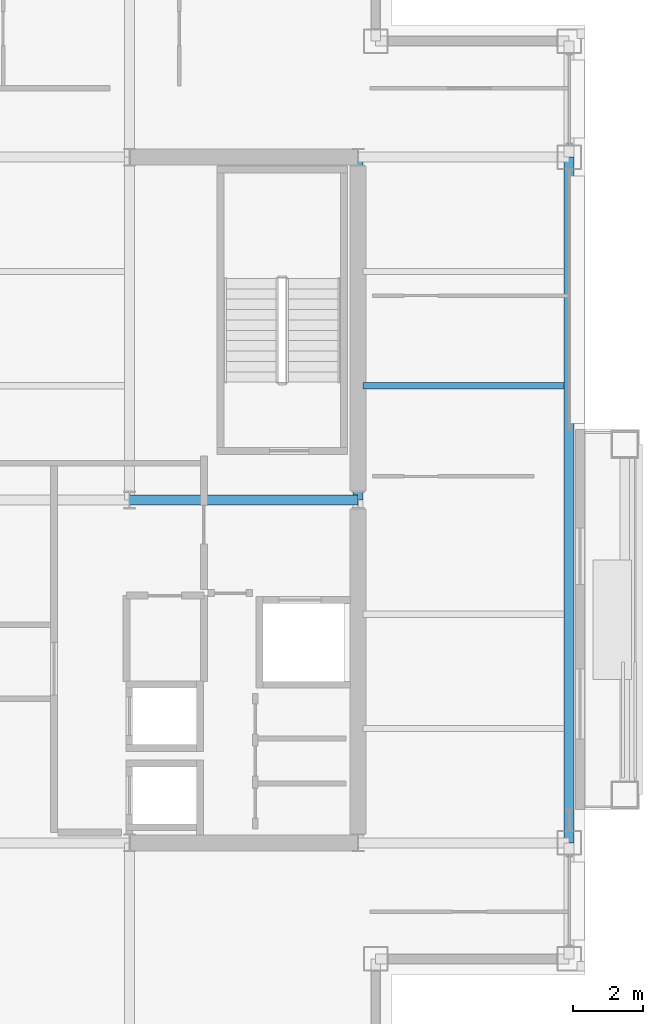
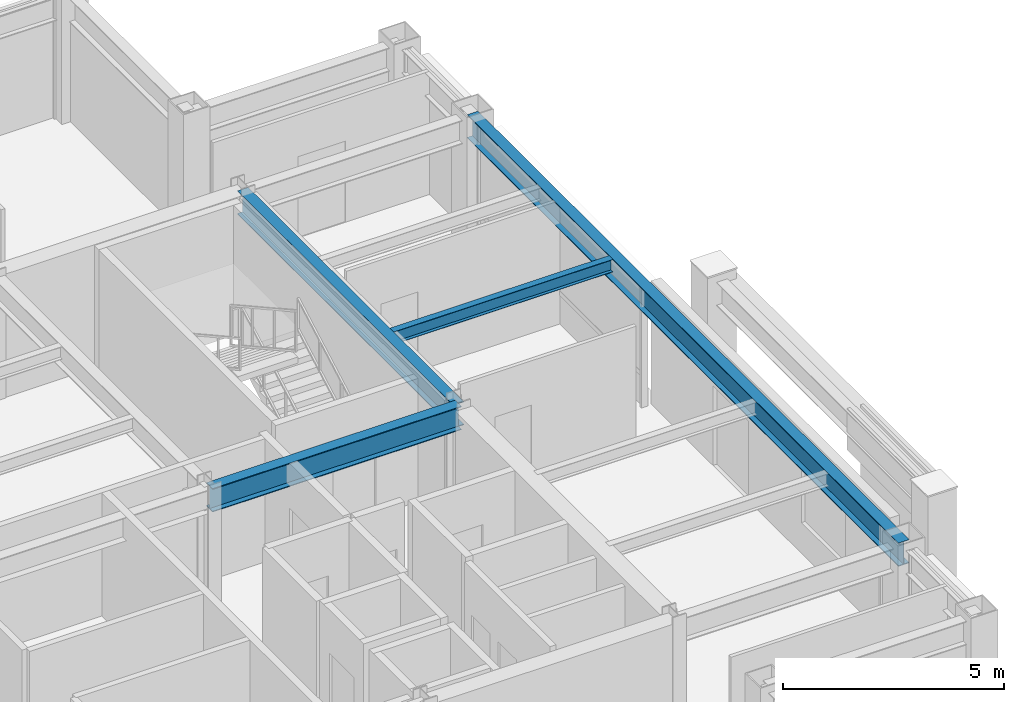
# One storey, part 15 of 29: 4 beams.
"""IFC4 building model written with IfcOpenShell, lengths in metres."""

from ifc_helpers import new_model, si_unit, direction, frame, origin, origin_2d, place, context, subcontext, project, spatial, i_section, extrude, material, material_profile, profile_set, type_object, element, save


model = new_model("IFC4")

# Units and contexts
model_context = context("Model", 3, precision=1e-05, world=origin(), true_north=direction((0.0, 1.0)))
body_context = subcontext(model_context, "Body", "Model", "MODEL_VIEW")
ifc_project = project(units=[si_unit("LENGTHUNIT", "METRE"), si_unit("AREAUNIT", "SQUARE_METRE"), si_unit("VOLUMEUNIT", "CUBIC_METRE"), si_unit("PLANEANGLEUNIT", "RADIAN"), si_unit("MASSUNIT", "GRAM", prefix="KILO")], contexts=[model_context])

# Site, building, storey
site_placement = place(None, origin())
site = spatial("IfcSite", under=ifc_project, at=site_placement, CompositionType="ELEMENT")
building_placement = place(site_placement, origin())
building = spatial("IfcBuilding", under=site, at=building_placement, Name="Brelmoor Portico Tower", CompositionType="ELEMENT")
storey_placement = place(building_placement, frame((0.0, 0.0, 201.89990234375)))
storey = spatial("IfcBuildingStorey", under=building, at=storey_placement, Name="L53", CompositionType="ELEMENT", Elevation=201.89990234375)

# Beams
ifc_material = material(Name="Steel Q355B", Category="steel")
ifc_material_profile_1 = material_profile(ifc_material, i_section(OverallWidth=0.175048828125, OverallDepth=0.35009765625, WebThickness=0.007080078125, FlangeThickness=0.010986328125, at=origin_2d()), Name="HN 350x175x7x11")
ifc_profile_set_1 = profile_set([ifc_material_profile_1], Name="Steel Q355B")
beam_type_1 = type_object("IfcBeamType", Name="BM-JS-350", PredefinedType="JOIST", material=ifc_profile_set_1)
beam_1_placement = place(storey_placement, frame((14.68994140625, 3.25, 3.22509765625), z_axis=(1.0, 0.0, 0.0), x_axis=(0.0, 1.0, 0.0)))
element("IfcBeam", 1, at=beam_1_placement, inside=storey, type_object=beam_type_1, Name="L53 Secondary Wing Joist JS-E11", PredefinedType="JOIST", context=body_context, shape_type="SweptSolid", body=[
    extrude(i_section(OverallWidth=0.175048828125, OverallDepth=0.35009765625, WebThickness=0.007080078125, FlangeThickness=0.010986328125, at=origin_2d()), origin(), (0.0, 0.0, 1.0), 5.719970703125),
])
ifc_material_profile_2 = material_profile(ifc_material, i_section(OverallWidth=0.280029296875, OverallDepth=0.64990234375, WebThickness=0.012939453125, FlangeThickness=0.02197265625, at=origin_2d()), Name="HN 650x280x13x22")
ifc_profile_set_2 = profile_set([ifc_material_profile_2], Name="Steel Q355B")
beam_type_2 = type_object("IfcBeamType", Name="BM-PG-650", PredefinedType="BEAM", material=ifc_profile_set_2)
beam_2_placement = place(storey_placement, frame((14.550048828125, 0.0, 3.0751953125), z_axis=(0.0, 1.0, 0.0), x_axis=(-1.0, 0.0, 0.0)))
element("IfcBeam", 2, at=beam_2_placement, inside=storey, type_object=beam_type_2, Name="L53 Primary Floor Girder PG-10", PredefinedType="BEAM", context=body_context, shape_type="SweptSolid", body=[
    extrude(i_section(OverallWidth=0.280029296875, OverallDepth=0.64990234375, WebThickness=0.012939453125, FlangeThickness=0.02197265625, at=origin_2d()), origin(), (0.0, 0.0, 1.0), 9.75),
])
beam_3_placement = place(storey_placement, frame((8.050048828125, 0.0, 3.0751953125), z_axis=(1.0, 0.0, 0.0), x_axis=(0.0, 1.0, 0.0)))
element("IfcBeam", 3, at=beam_3_placement, inside=storey, type_object=beam_type_2, Name="L53 Primary Floor Girder PG-18", PredefinedType="BEAM", context=body_context, shape_type="SweptSolid", body=[
    extrude(i_section(OverallWidth=0.280029296875, OverallDepth=0.64990234375, WebThickness=0.012939453125, FlangeThickness=0.02197265625, at=origin_2d()), origin(), (0.0, 0.0, 1.0), 6.5),
])
ifc_material_profile_3 = material_profile(ifc_material, i_section(OverallWidth=0.280029296875, OverallDepth=0.64990234375, WebThickness=0.012939453125, FlangeThickness=0.02197265625, at=origin_2d()), Name="HN 650x280x13x22")
ifc_profile_set_3 = profile_set([ifc_material_profile_3], Name="Steel Q355B")
beam_type_3 = type_object("IfcBeamType", Name="BM-SP-650", PredefinedType="SPANDREL", material=ifc_profile_set_3)
beam_4_placement = place(storey_placement, frame((20.550048828125, -9.75, 3.0751953125), z_axis=(0.0, 1.0, 0.0), x_axis=(-1.0, 0.0, 0.0)))
element("IfcBeam", 4, at=beam_4_placement, inside=storey, type_object=beam_type_3, Name="L53 Perimeter Spandrel Beam SP-19", PredefinedType="SPANDREL", context=body_context, shape_type="SweptSolid", body=[
    extrude(i_section(OverallWidth=0.280029296875, OverallDepth=0.64990234375, WebThickness=0.012939453125, FlangeThickness=0.02197265625, at=origin_2d()), origin(), (0.0, 0.0, 1.0), 19.5),
])

save(model, "model.ifc")
